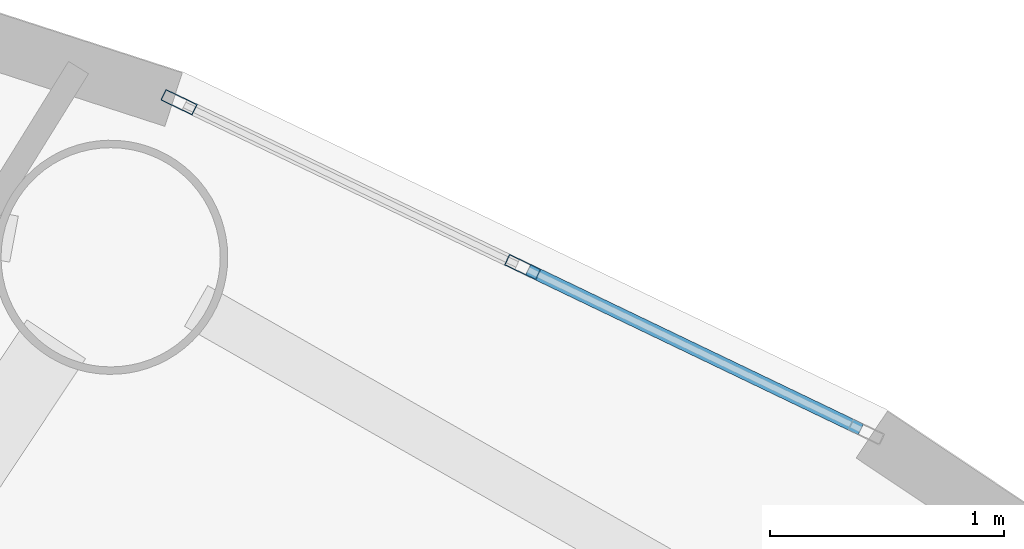
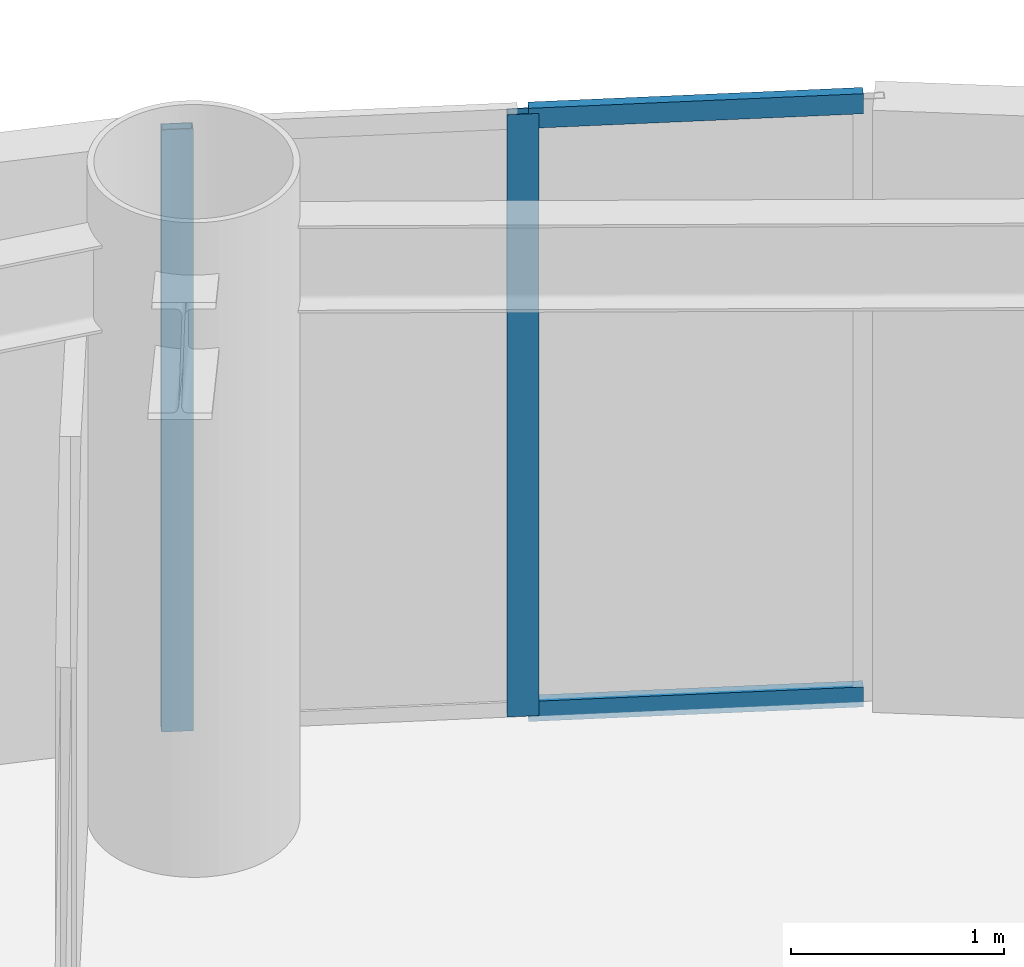
# One storey, part 5 of 17: 4 members, 1 element without a shape of its own.
"""IFC4 building model written with IfcOpenShell, lengths in metres."""

import ifcopenshell
import ifcopenshell.guid

model = None  # the IFC model being written
_history = None  # IfcOwnerHistory: only IFC2X3 demands one
_inside = {}  # id of a spatial element -> (the spatial element, [elements in it])
_under = {}  # id of a project, library or spatial element -> (it, [spatial elements below it])
_declared = {}  # id of a project -> (the project, [libraries it declares])
_typed = {}  # id of a type object -> (the type object, [elements of that type])
_made_of = {}  # id of a material, layer set ... -> (it, [elements and type objects made of it])


def new_model(schema):
    """Start an empty IFC model of exactly this schema.

    Asked for "IFC4X3", IfcOpenShell would pick the latest addendum, in which some entities
    have other attributes; the version numbers below select the first issue.
    IFC2X3 requires an IfcOwnerHistory on every rooted entity: one is made here for all.
    """
    global model, _history
    if schema == "IFC4X3":
        model = ifcopenshell.file(schema_version=(4, 3, 0, 0))
    else:
        model = ifcopenshell.file(schema=schema)
    _inside.clear()
    _under.clear()
    _declared.clear()
    _typed.clear()
    _made_of.clear()
    _history = None
    if model.schema == "IFC2X3":
        org = make("IfcOrganization", Name="unknown")
        user = make(
            "IfcPersonAndOrganization",
            ThePerson=make("IfcPerson", FamilyName="unknown"),
            TheOrganization=org,
        )
        app = make(
            "IfcApplication",
            ApplicationDeveloper=org,
            Version="unknown",
            ApplicationFullName="unknown",
            ApplicationIdentifier="unknown",
        )
        _history = make(
            "IfcOwnerHistory",
            OwningUser=user,
            OwningApplication=app,
            ChangeAction="ADDED",
            CreationDate=0,
        )
    return model


def make(cls, **values):
    """One entity of the class cls with the attributes given. An attribute that is None is left unset."""
    return model.create_entity(
        cls, **{name: value for name, value in values.items() if value is not None}
    )


def rooted(cls, **values):
    """An entity with a GlobalId (a new one), such as an element, a storey or a relation."""
    return make(cls, GlobalId=ifcopenshell.guid.new(), OwnerHistory=_history, **values)


def si_unit(unit_type, name, prefix=None):
    """IfcSIUnit, for example si_unit("LENGTHUNIT", "METRE", prefix="MILLI")."""
    return make("IfcSIUnit", UnitType=unit_type, Prefix=prefix, Name=name)


def assignment(units):
    """IfcUnitAssignment: the units of a project."""
    return None if units is None else make("IfcUnitAssignment", Units=units)


def point(xyz):
    """IfcCartesianPoint."""
    return None if xyz is None else make("IfcCartesianPoint", Coordinates=xyz)


def direction(xyz):
    """IfcDirection."""
    return None if xyz is None else make("IfcDirection", DirectionRatios=xyz)


def frame(location, z_axis=None, x_axis=None):
    """IfcAxis2Placement3D, a coordinate frame: its origin and axes. An axis left out is left unset."""
    return make(
        "IfcAxis2Placement3D",
        Location=point(location),
        Axis=direction(z_axis),
        RefDirection=direction(x_axis),
    )


def frame_2d(location, x_axis=None):
    """IfcAxis2Placement2D, a coordinate frame in the plane: its origin and x axis."""
    return make(
        "IfcAxis2Placement2D", Location=point(location), RefDirection=direction(x_axis)
    )


def origin():
    """The frame at (0, 0, 0) with its axes left unset."""
    return frame((0.0, 0.0, 0.0))


def origin_2d():
    """The frame at (0, 0) in the plane with its x axis left unset."""
    return frame_2d((0.0, 0.0))


def place(relative_to, where):
    """IfcLocalPlacement: puts the frame where relative to a parent placement (None: the world)."""
    return make(
        "IfcLocalPlacement", PlacementRelTo=relative_to, RelativePlacement=where
    )


def context(
    kind, dimensions, precision=None, world=None, true_north=None, identifier=None
):
    """IfcGeometricRepresentationContext, for example the 3D "Model" context."""
    return make(
        "IfcGeometricRepresentationContext",
        ContextIdentifier=identifier,
        ContextType=kind,
        CoordinateSpaceDimension=dimensions,
        Precision=precision,
        WorldCoordinateSystem=world,
        TrueNorth=true_north,
    )


def subcontext(parent, identifier, kind, view, scale=None):
    """IfcGeometricRepresentationSubContext, for example "Body" below "Model"."""
    return make(
        "IfcGeometricRepresentationSubContext",
        ContextIdentifier=identifier,
        ContextType=kind,
        ParentContext=parent,
        TargetScale=scale,
        TargetView=view,
    )


def project(units=None, contexts=None):
    """IfcProject with its units and contexts."""
    return rooted(
        "IfcProject",
        Name="project",
        RepresentationContexts=contexts,
        UnitsInContext=assignment(units),
    )


def spatial(cls, under=None, at=None, **own):
    """A site, building, storey or space (cls), placed at a placement, below another one or the project."""
    s = rooted(cls, ObjectPlacement=at, **own)
    if under is not None:
        _under.setdefault(under.id(), (under, []))[1].append(s)
    return s


def profile(cls, at=None, kind="AREA", **sizes):
    """A parametric profile (cls). Its sizes go by their IFC names, for example OverallWidth=200.0."""
    return make(cls, ProfileType=kind, Position=at, **sizes)


def hollow_rectangle(**sizes):
    """IfcRectangleHollowProfileDef."""
    return profile("IfcRectangleHollowProfileDef", **sizes)


def extrude(swept, where, along, depth):
    """IfcExtrudedAreaSolid: the profile swept, set in the frame where, extruded along a direction by depth."""
    return make(
        "IfcExtrudedAreaSolid",
        SweptArea=swept,
        Position=where,
        ExtrudedDirection=direction(along),
        Depth=depth,
    )


def shape(context_of_items, identifier, shape_type, items):
    """IfcShapeRepresentation: the items that make up one representation, for example the "Body"."""
    return make(
        "IfcShapeRepresentation",
        ContextOfItems=context_of_items,
        RepresentationIdentifier=identifier,
        RepresentationType=shape_type,
        Items=items,
    )


def source(mapping_origin, context_of_items, identifier, shape_type, items):
    """IfcRepresentationMap: a shape defined once, which mapped items show again and again."""
    return make(
        "IfcRepresentationMap",
        MappingOrigin=mapping_origin,
        MappedRepresentation=shape(context_of_items, identifier, shape_type, items),
    )


def transform(
    local_origin,
    x_axis=None,
    y_axis=None,
    z_axis=None,
    scale=None,
    scale2=None,
    scale3=None,
    uniform=True,
):
    """IfcCartesianTransformationOperator3D, or its non-uniform kind. x_axis, y_axis, z_axis: its Axis1, 2, 3."""
    if uniform:
        return make(
            "IfcCartesianTransformationOperator3D",
            Axis1=direction(x_axis),
            Axis2=direction(y_axis),
            LocalOrigin=point(local_origin),
            Scale=scale,
            Axis3=direction(z_axis),
        )
    return make(
        "IfcCartesianTransformationOperator3DnonUniform",
        Axis1=direction(x_axis),
        Axis2=direction(y_axis),
        LocalOrigin=point(local_origin),
        Scale=scale,
        Axis3=direction(z_axis),
        Scale2=scale2,
        Scale3=scale3,
    )


def mapped(mapping_source, mapping_target):
    """IfcMappedItem: shows the shape of a source again, moved by a transform."""
    return make(
        "IfcMappedItem", MappingSource=mapping_source, MappingTarget=mapping_target
    )


def material(Name=None, Category=None):
    """IfcMaterial."""
    return make("IfcMaterial", Name=Name, Category=Category)


def layer(
    of_material, thickness, ventilated=None, Name=None, Category=None, Priority=None
):
    """IfcMaterialLayer: one layer of a wall or slab, of a material (None: an air gap)."""
    return make(
        "IfcMaterialLayer",
        Material=of_material,
        LayerThickness=thickness,
        IsVentilated=ventilated,
        Name=Name,
        Category=Category,
        Priority=Priority,
    )


def layer_set(layers, Name=None):
    """IfcMaterialLayerSet."""
    return make("IfcMaterialLayerSet", MaterialLayers=layers, LayerSetName=Name)


def material_profile(
    of_material, cross_section, Name=None, Category=None, Priority=None
):
    """IfcMaterialProfile: a cross section and its material."""
    return make(
        "IfcMaterialProfile",
        Name=Name,
        Material=of_material,
        Profile=cross_section,
        Priority=Priority,
        Category=Category,
    )


def profile_set(profiles, Name=None, composite=None):
    """IfcMaterialProfileSet."""
    return make(
        "IfcMaterialProfileSet",
        Name=Name,
        MaterialProfiles=profiles,
        CompositeProfile=composite,
    )


def made_of(thing, what):
    """Note that an element or type object is made of a material, layer set ...; save() writes the relation."""
    if what is not None:
        _made_of.setdefault(what.id(), (what, []))[1].append(thing)
    return thing


def type_object(cls, material=None, **own):
    """A type object (cls), such as IfcWallType, which elements share."""
    return made_of(rooted(cls, **own), material)


def element(
    cls,
    number,
    at=None,
    inside=None,
    cuts=None,
    type_object=None,
    material=None,
    context=None,
    identifier="Body",
    shape_type=None,
    held_by="IfcProductDefinitionShape",
    body=None,
    shapes=None,
    **own,
):
    """One element of the class cls, such as IfcWall. Its Tag is "e" and its number.

    at: its placement. inside: the storey or other place that contains it. cuts: it is an
    opening in that element (IfcRelVoidsElement). A single representation is given by context,
    identifier, shape_type and body (its items); several are given by shapes. held_by: the class
    of the entity that holds the representations. save() writes the other relations.
    """
    e = rooted(cls, Tag="e%d" % number, ObjectPlacement=at, **own)
    if body is not None:
        shapes = [shape(context, identifier, shape_type, body)]
    if shapes is not None:
        e.Representation = make(held_by, Representations=shapes)
    if inside is not None:
        _inside.setdefault(inside.id(), (inside, []))[1].append(e)
    if cuts is not None:
        rooted(
            "IfcRelVoidsElement", RelatingBuildingElement=cuts, RelatedOpeningElement=e
        )
    if type_object is not None:
        _typed.setdefault(type_object.id(), (type_object, []))[1].append(e)
    return made_of(e, material)


def aggregate(whole, parts):
    """IfcRelAggregates: a whole, such as a stair, and the parts it consists of."""
    return rooted("IfcRelAggregates", RelatingObject=whole, RelatedObjects=parts)


def save(model, path):
    """Write the relations noted so far, then the file.

    IfcRelAggregates (storeys below a building ...), IfcRelContainedInSpatialStructure (elements
    in a storey), IfcRelDefinesByType, IfcRelAssociatesMaterial and IfcRelDeclares: one each for
    every whole, place, type object, material and project.
    """
    for whole, parts in _under.values():
        aggregate(whole, parts)
    for where, things in _inside.values():
        rooted(
            "IfcRelContainedInSpatialStructure",
            RelatedElements=things,
            RelatingStructure=where,
        )
    for kind, things in _typed.values():
        rooted("IfcRelDefinesByType", RelatedObjects=things, RelatingType=kind)
    for what, things in _made_of.values():
        rooted("IfcRelAssociatesMaterial", RelatedObjects=things, RelatingMaterial=what)
    for by, libraries in _declared.values():
        rooted("IfcRelDeclares", RelatingContext=by, RelatedDefinitions=libraries)
    model.write(path)


model = new_model("IFC4")

# Units and contexts
model_context = context("Model", 3, precision=1e-05, world=origin(), true_north=direction((0.0, 1.0)))
body_context = subcontext(model_context, "Body", "Model", "MODEL_VIEW")
ifc_project = project(units=[si_unit("LENGTHUNIT", "METRE"), si_unit("AREAUNIT", "SQUARE_METRE"), si_unit("VOLUMEUNIT", "CUBIC_METRE"), si_unit("PLANEANGLEUNIT", "RADIAN"), si_unit("MASSUNIT", "GRAM", prefix="KILO")], contexts=[model_context])

# Site, building, storey
site_placement = place(None, origin())
site = spatial("IfcSite", under=ifc_project, at=site_placement, CompositionType="ELEMENT")
building_placement = place(site_placement, origin())
building = spatial("IfcBuilding", under=site, at=building_placement, Name="Linh Dai School and Residence Tower", CompositionType="ELEMENT")
storey_placement = place(building_placement, frame((0.0, 0.0, 314.25)))
storey = spatial("IfcBuildingStorey", under=building, at=storey_placement, Name="L78", CompositionType="ELEMENT", Elevation=314.25)

# Curtain wall, members
ifc_material_1 = material(Name="Aluminium Anodised Curtain Wall", Category="aluminium")
ifc_layer = layer(ifc_material_1, 0.14990234375)
ifc_layer_set = layer_set([ifc_layer], Name="Aluminium Anodised Curtain Wall")
curtain_wall_type = type_object("IfcCurtainWallType", Name="CW-SYS-4", PredefinedType="USERDEFINED", material=ifc_layer_set)
curtain_wall_placement = place(storey_placement, origin())
curtain_wall = element("IfcCurtainWall", 1, at=curtain_wall_placement, inside=storey, type_object=curtain_wall_type, Name="L78 CW4 Curtain Wall 07", ObjectType="RIBBON CURTAIN WALL", PredefinedType="USERDEFINED")
ifc_material_2 = material(Name="Aluminium Alloy 6063-T6", Category="aluminium")
ifc_material_profile_1 = material_profile(ifc_material_2, hollow_rectangle(XDim=0.052001953125, YDim=0.14990234375, WallThickness=0.00390625, at=origin_2d()), Name="RHS 150x52x4")
ifc_profile_set_1 = profile_set([ifc_material_profile_1], Name="Aluminium Alloy 6063-T6")
member_type_1 = type_object("IfcMemberType", Name="CW-SYS-4-MUL", PredefinedType="MULLION", material=ifc_profile_set_1)
shared_shape_1 = source(origin(), body_context, "Body", "SweptSolid", [
    extrude(hollow_rectangle(XDim=0.052001953125, YDim=0.14990234375, WallThickness=0.00390625, at=origin_2d()), origin(), (0.0, 0.0, 1.0), 3.449951171875),
])
member_1_placement = place(storey_placement, frame((46.146484375, 42.5009765625, 0.0), z_axis=(0.0, 0.0, 1.0), x_axis=(0.432611916456, 0.901580240323, 0.0)))
member_1 = element("IfcMember", 2, at=member_1_placement, type_object=member_type_1, Name="CW4 mullion 1", PredefinedType="MULLION", context=body_context, shape_type="MappedRepresentation", body=[
    mapped(shared_shape_1, transform((0.0, 0.0, 0.0), x_axis=(1.0, 0.0, 0.0), y_axis=(0.0, 1.0, 0.0), z_axis=(0.0, 0.0, 1.0), scale=1.0)),
])
member_2_placement = place(storey_placement, frame((47.61376953125, 41.796875, 0.0), z_axis=(0.0, 0.0, 1.0), x_axis=(0.432611916456, 0.901580240323, 0.0)))
member_2 = element("IfcMember", 3, at=member_2_placement, type_object=member_type_1, Name="CW4 mullion 2", PredefinedType="MULLION", context=body_context, shape_type="MappedRepresentation", body=[
    mapped(shared_shape_1, transform((0.0, 0.0, 0.0), x_axis=(1.0, 0.0, 0.0), y_axis=(0.0, 1.0, 0.0), z_axis=(0.0, 0.0, 1.0), scale=1.0)),
])
ifc_material_profile_2 = material_profile(ifc_material_2, hollow_rectangle(XDim=0.052001953125, YDim=0.114990234375, WallThickness=0.00390625, at=origin_2d()), Name="RHS 115x52x4")
ifc_profile_set_2 = profile_set([ifc_material_profile_2], Name="Aluminium Alloy 6063-T6")
member_type_2 = type_object("IfcMemberType", Name="CW-SYS-4-TRN", PredefinedType="USERDEFINED", material=ifc_profile_set_2)
shared_shape_2 = source(origin(), body_context, "Body", "SweptSolid", [
    extrude(hollow_rectangle(XDim=0.052001953125, YDim=0.114990234375, WallThickness=0.00390625, at=origin_2d()), origin(), (0.0, 0.0, 1.0), 1.575439453125),
])
member_3_placement = place(storey_placement, frame((47.63720703125, 41.78564453125, 0.02587890625), z_axis=(0.901561743679, -0.432650462075, 0.0), x_axis=(0.432650462075, 0.901561743679, 0.0)))
member_3 = element("IfcMember", 4, at=member_3_placement, type_object=member_type_2, Name="CW4 transom 2.1", ObjectType="TRANSOM", PredefinedType="USERDEFINED", context=body_context, shape_type="MappedRepresentation", body=[
    mapped(shared_shape_2, transform((0.0, 0.0, 0.0), x_axis=(1.0, 0.0, 0.0), y_axis=(0.0, 1.0, 0.0), z_axis=(0.0, 0.0, 1.0), scale=1.0)),
])
member_4_placement = place(storey_placement, frame((47.63720703125, 41.78564453125, 3.424072265625), z_axis=(0.901561743679, -0.432650462075, 0.0), x_axis=(0.432650462075, 0.901561743679, 0.0)))
member_4 = element("IfcMember", 5, at=member_4_placement, type_object=member_type_2, Name="CW4 transom 2.2", ObjectType="TRANSOM", PredefinedType="USERDEFINED", context=body_context, shape_type="MappedRepresentation", body=[
    mapped(shared_shape_2, transform((0.0, 0.0, 0.0), x_axis=(1.0, 0.0, 0.0), y_axis=(0.0, 1.0, 0.0), z_axis=(0.0, 0.0, 1.0), scale=1.0)),
])
aggregate(curtain_wall, [member_1, member_2, member_3, member_4])

save(model, "model.ifc")
